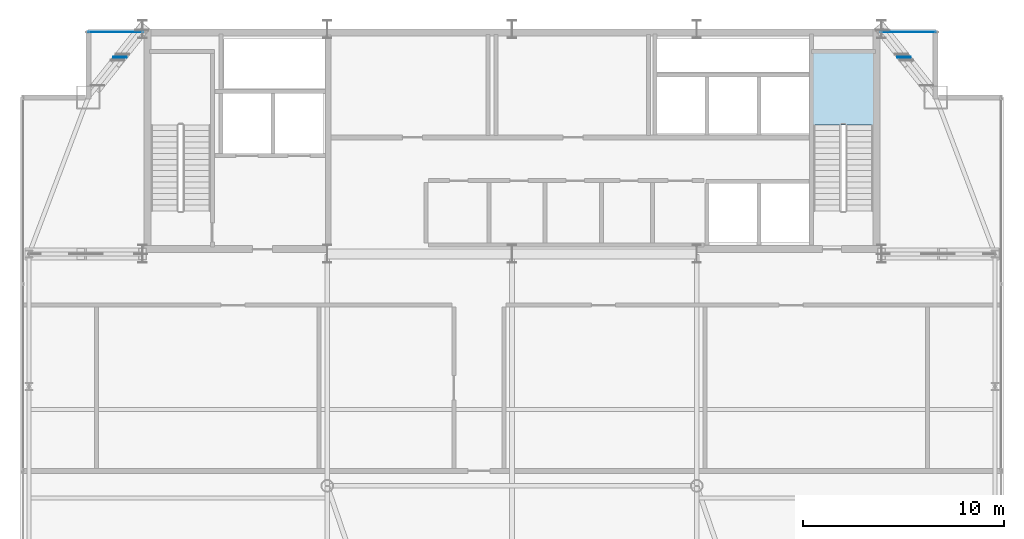
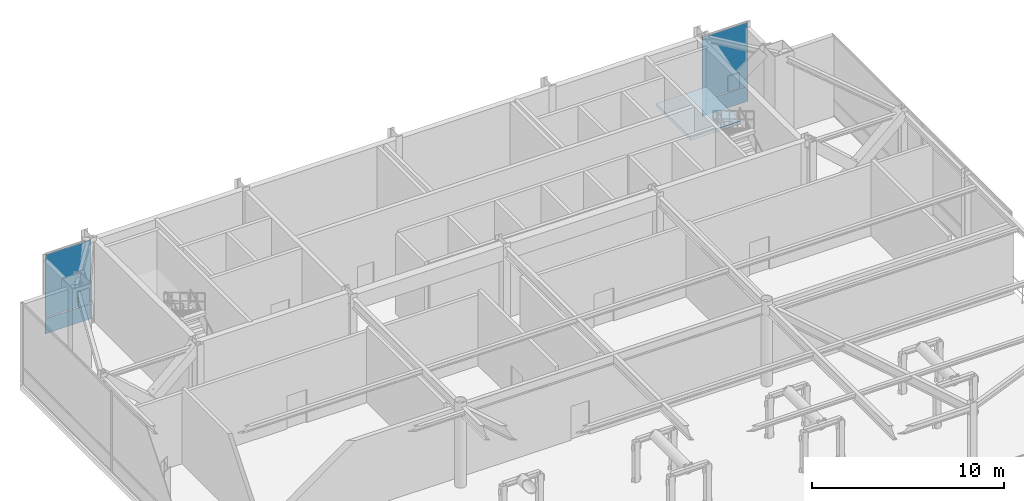
# One storey, part 16 of 21: 6 plates, 1 slab, 3 elements without a shape of their own.
"""IFC4 building model written with IfcOpenShell, lengths in metres."""

from ifc_helpers import new_model, si_unit, direction, frame, origin, origin_2d, place, context, subcontext, project, spatial, polyline, rectangle, outline, extrude, source, transform, mapped, material, layer, layer_set, type_object, type_shapes, element, aggregate, save


model = new_model("IFC4")

# Units and contexts
model_context = context("Model", 3, precision=1e-05, world=origin(), true_north=direction((0.0, 1.0)))
body_context = subcontext(model_context, "Body", "Model", "MODEL_VIEW")
ifc_project = project(units=[si_unit("LENGTHUNIT", "METRE"), si_unit("AREAUNIT", "SQUARE_METRE"), si_unit("VOLUMEUNIT", "CUBIC_METRE"), si_unit("PLANEANGLEUNIT", "RADIAN"), si_unit("MASSUNIT", "GRAM", prefix="KILO")], contexts=[model_context])

# Site, building, storey
site_placement = place(None, origin())
site = spatial("IfcSite", under=ifc_project, at=site_placement, CompositionType="ELEMENT")
building_placement = place(site_placement, origin())
building = spatial("IfcBuilding", under=site, at=building_placement, Name="Varnel Quay Broadcast Tower", CompositionType="ELEMENT")
storey_placement = place(building_placement, frame((0.0, 0.0, 234.0)))
storey = spatial("IfcBuildingStorey", under=building, at=storey_placement, Name="L58", CompositionType="ELEMENT", Elevation=234.0)

# Stair, slab
ifc_material_1 = material(Name="Precast Structural Concrete C40/50", Category="concrete")
stair_type = type_object("IfcStairType", Name="Stair_ST-02", PredefinedType="HALF_TURN_STAIR", material=ifc_material_1)
stair_placement = place(storey_placement, origin())
stair = element("IfcStair", 1, at=stair_placement, inside=storey, type_object=stair_type, Name="L58 East Core Exit Stair 2", PredefinedType="HALF_TURN_STAIR")
ifc_layer_1 = layer(ifc_material_1, 0.199951171875, Name="Precast Structural Concrete C40/50")
ifc_layer_set_1 = layer_set([ifc_layer_1], Name="Precast Structural Concrete C40/50")
slab_type = type_object("IfcSlabType", Name="Slab_StairLanding200", PredefinedType="LANDING", material=ifc_layer_set_1)
slab_placement = place(storey_placement, frame((0.0, 0.0, 2.5)))
slab = element("IfcSlab", 2, at=slab_placement, type_object=slab_type, Name="ST-02 landing 1", PredefinedType="LANDING", context=body_context, shape_type="SweptSolid", body=[
    extrude(outline(polyline([(52.0, 42.02490234375), (52.0, 45.60009765625), (49.0, 45.60009765625), (49.0, 42.02490234375), (52.0, 42.02490234375)])), origin(), (0.0, 0.0, 1.0), 0.199951171875),
])
aggregate(stair, [slab])

# Plates
ifc_material_2 = material(Name="Structural Steel CSA G40.21 350WT", Category="steel")
ifc_layer_2 = layer(ifc_material_2, 0.0400390625, Name="Structural Steel CSA G40.21 350WT")
ifc_layer_set_2 = layer_set([ifc_layer_2], Name="Structural Steel CSA G40.21 350WT")
plate_type_1 = type_object("IfcPlateType", Name="Plate_MegaGusset", PredefinedType="USERDEFINED", material=ifc_layer_set_2)
shared_shape_1 = source(origin(), body_context, "Body", "SweptSolid", [
    extrude(rectangle(XDim=0.68603515625, YDim=0.0400390625, at=origin_2d()), origin(), (0.0, 0.0, 1.0), 1.0029296875),
])
type_shapes(plate_type_1, [shared_shape_1])
for number, where, z_axis, x_axis, name in (
    (3, (14.48291015625, 45.393310546875, 2.073486328125), (0.0, 0.0, 1.0), (1.0, 0.0, 0.0), "L58 Outrigger NW Central X-Crossing Gusset Plate"),
    (4, (53.51708984375, 45.393310546875, 2.073486328125), (0.0, 0.0, 1.0), (1.0, 0.0, 0.0), "L58 Outrigger NE Central X-Crossing Gusset Plate"),
):
    element("IfcPlate", number, at=place(storey_placement, frame(where, z_axis=z_axis, x_axis=x_axis)), inside=storey, type_object=plate_type_1, Name=name, ObjectType="GUSSET_PLATE", PredefinedType="USERDEFINED", context=body_context, shape_type="MappedRepresentation", body=[
        mapped(shared_shape_1, transform((0.0, 0.0, 0.0), x_axis=(1.0, 0.0, 0.0), y_axis=(0.0, 1.0, 0.0), z_axis=(0.0, 0.0, 1.0), scale=1.0)),
    ])

# Curtain wall, plate
ifc_material_3 = material(Name="Anodised Bronze Aluminium 6063-T6", Category="aluminium")
ifc_layer_3 = layer(ifc_material_3, 0.18994140625, Name="Anodised Bronze Aluminium 6063-T6")
ifc_layer_set_3 = layer_set([ifc_layer_3], Name="Anodised Bronze Aluminium 6063-T6")
curtain_wall_type = type_object("IfcCurtainWallType", Name="CW_CrownScreen", PredefinedType="NOTDEFINED", material=ifc_layer_set_3)
curtain_wall_1_placement = place(storey_placement, origin())
curtain_wall_1 = element("IfcCurtainWall", 5, at=curtain_wall_1_placement, inside=storey, type_object=curtain_wall_type, Name="L58 NW Wing Curtain Wall", PredefinedType="NOTDEFINED")
ifc_material_4 = material(Name="Insulated Bronze Spandrel Glass", Category="glass")
ifc_layer_4 = layer(ifc_material_4, 0.02587890625, Name="Insulated Bronze Spandrel Glass")
ifc_layer_set_4 = layer_set([ifc_layer_4], Name="Insulated Bronze Spandrel Glass")
plate_type_2 = type_object("IfcPlateType", Name="Panel_CWS-06", PredefinedType="CURTAIN_PANEL", material=ifc_layer_set_4)
shared_shape_2 = source(origin(), body_context, "Body", "SweptSolid", [
    extrude(rectangle(XDim=2.739990234375, YDim=0.02587890625, at=origin_2d()), origin(), (0.0, 0.0, 1.0), 0.9599609375),
])
plate_1_placement = place(storey_placement, frame((14.260009765625, 46.64990234375, 0.06005859375), z_axis=(0.0, 0.0, 1.0), x_axis=(1.0, 0.0, 0.0)))
plate_1 = element("IfcPlate", 6, at=plate_1_placement, type_object=plate_type_2, Name="CWS-06 panel 1.1", PredefinedType="CURTAIN_PANEL", context=body_context, shape_type="MappedRepresentation", body=[
    mapped(shared_shape_2, transform((0.0, 0.0, 0.0), x_axis=(1.0, 0.0, 0.0), y_axis=(0.0, 1.0, 0.0), z_axis=(0.0, 0.0, 1.0), scale=1.0)),
])

curtain_wall_2_placement = place(storey_placement, origin())
curtain_wall_2 = element("IfcCurtainWall", 7, at=curtain_wall_2_placement, inside=storey, type_object=curtain_wall_type, Name="L58 NE Wing Curtain Wall", PredefinedType="NOTDEFINED")
plate_2_placement = place(storey_placement, frame((53.739990234375, 46.64990234375, 0.06005859375), z_axis=(0.0, 0.0, 1.0), x_axis=(1.0, 0.0, 0.0)))
plate_2 = element("IfcPlate", 8, at=plate_2_placement, type_object=plate_type_2, Name="CWS-06 panel 1.1", PredefinedType="CURTAIN_PANEL", context=body_context, shape_type="MappedRepresentation", body=[
    mapped(shared_shape_2, transform((0.0, 0.0, 0.0), x_axis=(1.0, 0.0, 0.0), y_axis=(0.0, 1.0, 0.0), z_axis=(0.0, 0.0, 1.0), scale=1.0)),
])

# Plate
shared_shape_3 = source(origin(), body_context, "Body", "SweptSolid", [
    extrude(rectangle(XDim=2.739990234375, YDim=0.02587890625, at=origin_2d()), origin(), (0.0, 0.0, 1.0), 4.010009765625),
])
type_shapes(plate_type_2, [shared_shape_2, shared_shape_3])
plate_3_placement = place(storey_placement, frame((14.260009765625, 46.64990234375, 1.080078125), z_axis=(0.0, 0.0, 1.0), x_axis=(1.0, 0.0, 0.0)))
plate_3 = element("IfcPlate", 9, at=plate_3_placement, type_object=plate_type_2, Name="CWS-06 panel 1.2", PredefinedType="CURTAIN_PANEL", context=body_context, shape_type="MappedRepresentation", body=[
    mapped(shared_shape_3, transform((0.0, 0.0, 0.0), x_axis=(1.0, 0.0, 0.0), y_axis=(0.0, 1.0, 0.0), z_axis=(0.0, 0.0, 1.0), scale=1.0)),
])

aggregate(curtain_wall_1, [plate_1, plate_3])

plate_4_placement = place(storey_placement, frame((53.739990234375, 46.64990234375, 1.080078125), z_axis=(0.0, 0.0, 1.0), x_axis=(1.0, 0.0, 0.0)))
plate_4 = element("IfcPlate", 10, at=plate_4_placement, type_object=plate_type_2, Name="CWS-06 panel 1.2", PredefinedType="CURTAIN_PANEL", context=body_context, shape_type="MappedRepresentation", body=[
    mapped(shared_shape_3, transform((0.0, 0.0, 0.0), x_axis=(1.0, 0.0, 0.0), y_axis=(0.0, 1.0, 0.0), z_axis=(0.0, 0.0, 1.0), scale=1.0)),
])

aggregate(curtain_wall_2, [plate_2, plate_4])

save(model, "model.ifc")
